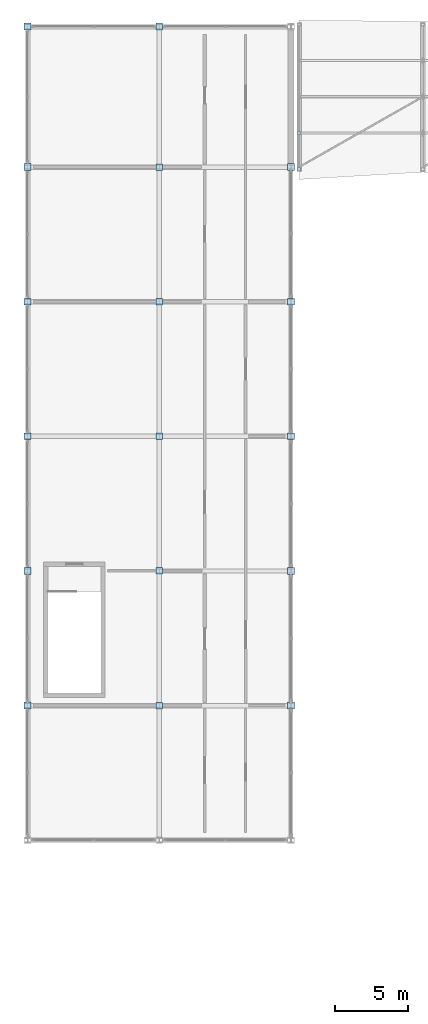
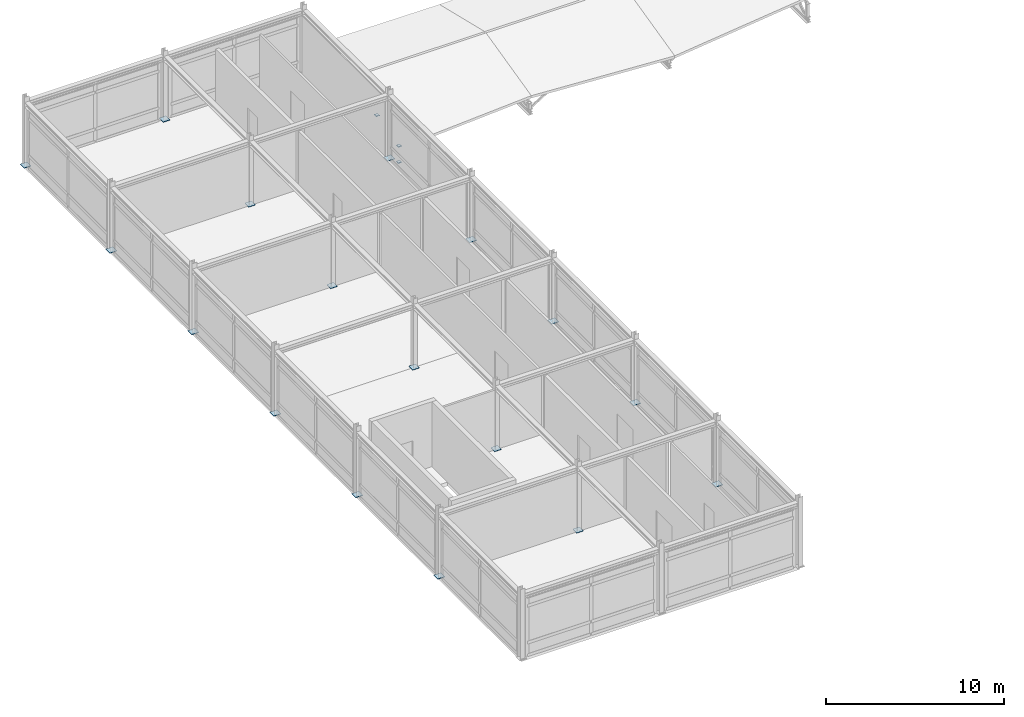
# One storey, part 64 of 90: 20 plates.
"""IFC4 building model written with IfcOpenShell, lengths in metres."""

import ifcopenshell
import ifcopenshell.guid

model = None  # the IFC model being written
_history = None  # IfcOwnerHistory: only IFC2X3 demands one
_inside = {}  # id of a spatial element -> (the spatial element, [elements in it])
_under = {}  # id of a project, library or spatial element -> (it, [spatial elements below it])
_declared = {}  # id of a project -> (the project, [libraries it declares])
_typed = {}  # id of a type object -> (the type object, [elements of that type])
_made_of = {}  # id of a material, layer set ... -> (it, [elements and type objects made of it])


def new_model(schema):
    """Start an empty IFC model of exactly this schema.

    Asked for "IFC4X3", IfcOpenShell would pick the latest addendum, in which some entities
    have other attributes; the version numbers below select the first issue.
    IFC2X3 requires an IfcOwnerHistory on every rooted entity: one is made here for all.
    """
    global model, _history
    if schema == "IFC4X3":
        model = ifcopenshell.file(schema_version=(4, 3, 0, 0))
    else:
        model = ifcopenshell.file(schema=schema)
    _inside.clear()
    _under.clear()
    _declared.clear()
    _typed.clear()
    _made_of.clear()
    _history = None
    if model.schema == "IFC2X3":
        org = make("IfcOrganization", Name="unknown")
        user = make(
            "IfcPersonAndOrganization",
            ThePerson=make("IfcPerson", FamilyName="unknown"),
            TheOrganization=org,
        )
        app = make(
            "IfcApplication",
            ApplicationDeveloper=org,
            Version="unknown",
            ApplicationFullName="unknown",
            ApplicationIdentifier="unknown",
        )
        _history = make(
            "IfcOwnerHistory",
            OwningUser=user,
            OwningApplication=app,
            ChangeAction="ADDED",
            CreationDate=0,
        )
    return model


def make(cls, **values):
    """One entity of the class cls with the attributes given. An attribute that is None is left unset."""
    return model.create_entity(
        cls, **{name: value for name, value in values.items() if value is not None}
    )


def rooted(cls, **values):
    """An entity with a GlobalId (a new one), such as an element, a storey or a relation."""
    return make(cls, GlobalId=ifcopenshell.guid.new(), OwnerHistory=_history, **values)


def si_unit(unit_type, name, prefix=None):
    """IfcSIUnit, for example si_unit("LENGTHUNIT", "METRE", prefix="MILLI")."""
    return make("IfcSIUnit", UnitType=unit_type, Prefix=prefix, Name=name)


def assignment(units):
    """IfcUnitAssignment: the units of a project."""
    return None if units is None else make("IfcUnitAssignment", Units=units)


def point(xyz):
    """IfcCartesianPoint."""
    return None if xyz is None else make("IfcCartesianPoint", Coordinates=xyz)


def direction(xyz):
    """IfcDirection."""
    return None if xyz is None else make("IfcDirection", DirectionRatios=xyz)


def frame(location, z_axis=None, x_axis=None):
    """IfcAxis2Placement3D, a coordinate frame: its origin and axes. An axis left out is left unset."""
    return make(
        "IfcAxis2Placement3D",
        Location=point(location),
        Axis=direction(z_axis),
        RefDirection=direction(x_axis),
    )


def frame_2d(location, x_axis=None):
    """IfcAxis2Placement2D, a coordinate frame in the plane: its origin and x axis."""
    return make(
        "IfcAxis2Placement2D", Location=point(location), RefDirection=direction(x_axis)
    )


def origin():
    """The frame at (0, 0, 0) with its axes left unset."""
    return frame((0.0, 0.0, 0.0))


def origin_2d():
    """The frame at (0, 0) in the plane with its x axis left unset."""
    return frame_2d((0.0, 0.0))


def place(relative_to, where):
    """IfcLocalPlacement: puts the frame where relative to a parent placement (None: the world)."""
    return make(
        "IfcLocalPlacement", PlacementRelTo=relative_to, RelativePlacement=where
    )


def context(
    kind, dimensions, precision=None, world=None, true_north=None, identifier=None
):
    """IfcGeometricRepresentationContext, for example the 3D "Model" context."""
    return make(
        "IfcGeometricRepresentationContext",
        ContextIdentifier=identifier,
        ContextType=kind,
        CoordinateSpaceDimension=dimensions,
        Precision=precision,
        WorldCoordinateSystem=world,
        TrueNorth=true_north,
    )


def subcontext(parent, identifier, kind, view, scale=None):
    """IfcGeometricRepresentationSubContext, for example "Body" below "Model"."""
    return make(
        "IfcGeometricRepresentationSubContext",
        ContextIdentifier=identifier,
        ContextType=kind,
        ParentContext=parent,
        TargetScale=scale,
        TargetView=view,
    )


def project(units=None, contexts=None):
    """IfcProject with its units and contexts."""
    return rooted(
        "IfcProject",
        Name="project",
        RepresentationContexts=contexts,
        UnitsInContext=assignment(units),
    )


def spatial(cls, under=None, at=None, **own):
    """A site, building, storey or space (cls), placed at a placement, below another one or the project."""
    s = rooted(cls, ObjectPlacement=at, **own)
    if under is not None:
        _under.setdefault(under.id(), (under, []))[1].append(s)
    return s


def profile(cls, at=None, kind="AREA", **sizes):
    """A parametric profile (cls). Its sizes go by their IFC names, for example OverallWidth=200.0."""
    return make(cls, ProfileType=kind, Position=at, **sizes)


def rectangle(**sizes):
    """IfcRectangleProfileDef."""
    return profile("IfcRectangleProfileDef", **sizes)


def extrude(swept, where, along, depth):
    """IfcExtrudedAreaSolid: the profile swept, set in the frame where, extruded along a direction by depth."""
    return make(
        "IfcExtrudedAreaSolid",
        SweptArea=swept,
        Position=where,
        ExtrudedDirection=direction(along),
        Depth=depth,
    )


def shape(context_of_items, identifier, shape_type, items):
    """IfcShapeRepresentation: the items that make up one representation, for example the "Body"."""
    return make(
        "IfcShapeRepresentation",
        ContextOfItems=context_of_items,
        RepresentationIdentifier=identifier,
        RepresentationType=shape_type,
        Items=items,
    )


def material(Name=None, Category=None):
    """IfcMaterial."""
    return make("IfcMaterial", Name=Name, Category=Category)


def layer(
    of_material, thickness, ventilated=None, Name=None, Category=None, Priority=None
):
    """IfcMaterialLayer: one layer of a wall or slab, of a material (None: an air gap)."""
    return make(
        "IfcMaterialLayer",
        Material=of_material,
        LayerThickness=thickness,
        IsVentilated=ventilated,
        Name=Name,
        Category=Category,
        Priority=Priority,
    )


def layer_set(layers, Name=None):
    """IfcMaterialLayerSet."""
    return make("IfcMaterialLayerSet", MaterialLayers=layers, LayerSetName=Name)


def made_of(thing, what):
    """Note that an element or type object is made of a material, layer set ...; save() writes the relation."""
    if what is not None:
        _made_of.setdefault(what.id(), (what, []))[1].append(thing)
    return thing


def type_object(cls, material=None, **own):
    """A type object (cls), such as IfcWallType, which elements share."""
    return made_of(rooted(cls, **own), material)


def element(
    cls,
    number,
    at=None,
    inside=None,
    cuts=None,
    type_object=None,
    material=None,
    context=None,
    identifier="Body",
    shape_type=None,
    held_by="IfcProductDefinitionShape",
    body=None,
    shapes=None,
    **own,
):
    """One element of the class cls, such as IfcWall. Its Tag is "e" and its number.

    at: its placement. inside: the storey or other place that contains it. cuts: it is an
    opening in that element (IfcRelVoidsElement). A single representation is given by context,
    identifier, shape_type and body (its items); several are given by shapes. held_by: the class
    of the entity that holds the representations. save() writes the other relations.
    """
    e = rooted(cls, Tag="e%d" % number, ObjectPlacement=at, **own)
    if body is not None:
        shapes = [shape(context, identifier, shape_type, body)]
    if shapes is not None:
        e.Representation = make(held_by, Representations=shapes)
    if inside is not None:
        _inside.setdefault(inside.id(), (inside, []))[1].append(e)
    if cuts is not None:
        rooted(
            "IfcRelVoidsElement", RelatingBuildingElement=cuts, RelatedOpeningElement=e
        )
    if type_object is not None:
        _typed.setdefault(type_object.id(), (type_object, []))[1].append(e)
    return made_of(e, material)


def aggregate(whole, parts):
    """IfcRelAggregates: a whole, such as a stair, and the parts it consists of."""
    return rooted("IfcRelAggregates", RelatingObject=whole, RelatedObjects=parts)


def save(model, path):
    """Write the relations noted so far, then the file.

    IfcRelAggregates (storeys below a building ...), IfcRelContainedInSpatialStructure (elements
    in a storey), IfcRelDefinesByType, IfcRelAssociatesMaterial and IfcRelDeclares: one each for
    every whole, place, type object, material and project.
    """
    for whole, parts in _under.values():
        aggregate(whole, parts)
    for where, things in _inside.values():
        rooted(
            "IfcRelContainedInSpatialStructure",
            RelatedElements=things,
            RelatingStructure=where,
        )
    for kind, things in _typed.values():
        rooted("IfcRelDefinesByType", RelatedObjects=things, RelatingType=kind)
    for what, things in _made_of.values():
        rooted("IfcRelAssociatesMaterial", RelatedObjects=things, RelatingMaterial=what)
    for by, libraries in _declared.values():
        rooted("IfcRelDeclares", RelatingContext=by, RelatedDefinitions=libraries)
    model.write(path)


model = new_model("IFC4")

# Units and contexts
model_context = context("Model", 3, precision=1e-05, world=origin(), true_north=direction((0.0, 1.0)))
body_context = subcontext(model_context, "Body", "Model", "MODEL_VIEW")
ifc_project = project(units=[si_unit("LENGTHUNIT", "METRE"), si_unit("AREAUNIT", "SQUARE_METRE"), si_unit("VOLUMEUNIT", "CUBIC_METRE"), si_unit("PLANEANGLEUNIT", "RADIAN"), si_unit("MASSUNIT", "GRAM", prefix="KILO")], contexts=[model_context])

# Site, building, storey
site_placement = place(None, origin())
site = spatial("IfcSite", under=ifc_project, at=site_placement, CompositionType="ELEMENT")
building_placement = place(site_placement, origin())
building = spatial("IfcBuilding", under=site, at=building_placement, Name="Bozkorgan Art Gallery", CompositionType="ELEMENT")
storey_placement = place(building_placement, frame((0.0, 0.0, 5.39990234375)))
storey = spatial("IfcBuildingStorey", under=building, at=storey_placement, Name="L01", CompositionType="ELEMENT", Elevation=5.39990234375)

# Plates
ifc_material = material(Name="Steel S355J2", Category="steel")
ifc_layer_1 = layer(ifc_material, 0.031982421875, Name="Steel S355J2")
ifc_layer_set_1 = layer_set([ifc_layer_1], Name="Steel S355J2")
plate_type_1 = type_object("IfcPlateType", Name="PLATE-BP-07", PredefinedType="USERDEFINED", material=ifc_layer_set_1)
for number, where, z_axis, x_axis, name in (
    (1, (11.0, 66.0, 0.0), (0.0, 0.0, 1.0), (1.0, 0.0, 0.0), "COL-V2-L01-11-66 base plate"),
    (2, (11.0, 75.199951171875, 0.0), (0.0, 0.0, 1.0), (1.0, 0.0, 0.0), "COL-V2-L01-11-75 base plate"),
    (3, (11.0, 84.39990234375, 0.0), (0.0, 0.0, 1.0), (1.0, 0.0, 0.0), "COL-V2-L01-11-84 base plate"),
    (4, (11.0, 93.60009765625, 0.0), (0.0, 0.0, 1.0), (1.0, 0.0, 0.0), "COL-V2-L01-11-94 base plate"),
    (5, (11.0, 102.800048828125, 0.0), (0.0, 0.0, 1.0), (1.0, 0.0, 0.0), "COL-V2-L01-11-103 base plate"),
):
    element("IfcPlate", number, at=place(storey_placement, frame(where, z_axis=z_axis, x_axis=x_axis)), inside=storey, type_object=plate_type_1, Name=name, ObjectType="END CAP PLATE", PredefinedType="USERDEFINED", context=body_context, shape_type="SweptSolid", body=[
        extrude(rectangle(XDim=0.43994140625, YDim=0.43994140625, at=origin_2d()), origin(), (0.0, 0.0, 1.0), 0.031982421875),
    ])
ifc_layer_2 = layer(ifc_material, 0.031982421875, Name="Steel S355J2")
ifc_layer_set_2 = layer_set([ifc_layer_2], Name="Steel S355J2")
plate_type_2 = type_object("IfcPlateType", Name="PLATE-BP-37", PredefinedType="USERDEFINED", material=ifc_layer_set_2)
for number, where, z_axis, x_axis, name in (
    (6, (2.0, 66.0, 0.0), (0.0, 0.0, 1.0), (1.0, 0.0, 0.0), "COL-V2-L01-2-66 base plate"),
    (7, (2.0, 75.199951171875, 0.0), (0.0, 0.0, 1.0), (1.0, 0.0, 0.0), "COL-V2-L01-2-75 base plate"),
    (8, (2.0, 84.39990234375, 0.0), (0.0, 0.0, 1.0), (1.0, 0.0, 0.0), "COL-V2-L01-2-84 base plate"),
    (9, (2.0, 93.60009765625, 0.0), (0.0, 0.0, 1.0), (1.0, 0.0, 0.0), "COL-V2-L01-2-94 base plate"),
    (10, (2.0, 102.800048828125, 0.0), (0.0, 0.0, 1.0), (1.0, 0.0, 0.0), "COL-V2-L01-2-103 base plate"),
    (11, (2.0, 112.39990234375, 0.0), (0.0, 0.0, 1.0), (1.0, 0.0, 0.0), "COL-V2-L01-2-112 base plate"),
    (12, (11.0, 112.39990234375, 0.0), (0.0, 0.0, 1.0), (1.0, 0.0, 0.0), "COL-V2-L01-11-112 base plate"),
    (13, (20.0, 66.0, 0.0), (0.0, 0.0, 1.0), (1.0, 0.0, 0.0), "COL-V2-L01-20-66 base plate"),
    (14, (20.0, 75.199951171875, 0.0), (0.0, 0.0, 1.0), (1.0, 0.0, 0.0), "COL-V2-L01-20-75 base plate"),
    (15, (20.0, 84.39990234375, 0.0), (0.0, 0.0, 1.0), (1.0, 0.0, 0.0), "COL-V2-L01-20-84 base plate"),
    (16, (20.0, 93.60009765625, 0.0), (0.0, 0.0, 1.0), (1.0, 0.0, 0.0), "COL-V2-L01-20-94 base plate"),
    (17, (20.0, 102.800048828125, 0.0), (0.0, 0.0, 1.0), (1.0, 0.0, 0.0), "COL-V2-L01-20-103 base plate"),
):
    element("IfcPlate", number, at=place(storey_placement, frame(where, z_axis=z_axis, x_axis=x_axis)), inside=storey, type_object=plate_type_2, Name=name, ObjectType="END CAP PLATE", PredefinedType="USERDEFINED", context=body_context, shape_type="SweptSolid", body=[
        extrude(rectangle(XDim=0.4599609375, YDim=0.4599609375, at=origin_2d()), origin(), (0.0, 0.0, 1.0), 0.031982421875),
    ])
ifc_layer_3 = layer(ifc_material, 0.01611328125, Name="Steel S355J2")
ifc_layer_set_3 = layer_set([ifc_layer_3], Name="Steel S355J2")
plate_type_3 = type_object("IfcPlateType", Name="PLATE-EC-05", PredefinedType="USERDEFINED", material=ifc_layer_set_3)
for number, where, z_axis, x_axis, name in (
    (18, (20.550048828125, 102.64990234375, 0.76171875), (0.0, 0.0, 1.0), (1.0, 0.0, 0.0), "Truss V2 post cap 1.0"),
    (19, (20.550048828125, 102.64990234375, -0.347900390625), (0.0, 0.0, 1.0), (1.0, 0.0, 0.0), "Truss V2 post base cap 1.0"),
    (20, (20.550048828125, 105.125, 1.35595703125), (0.0, 0.0, 1.0), (1.0, 0.0, 0.0), "Truss V2 post cap 1.1"),
):
    element("IfcPlate", number, at=place(storey_placement, frame(where, z_axis=z_axis, x_axis=x_axis)), inside=storey, type_object=plate_type_3, Name=name, ObjectType="END CAP PLATE", PredefinedType="USERDEFINED", context=body_context, shape_type="SweptSolid", body=[
        extrude(rectangle(XDim=0.22998046875, YDim=0.22998046875, at=origin_2d()), origin(), (0.0, 0.0, 1.0), 0.01611328125),
    ])

save(model, "model.ifc")
